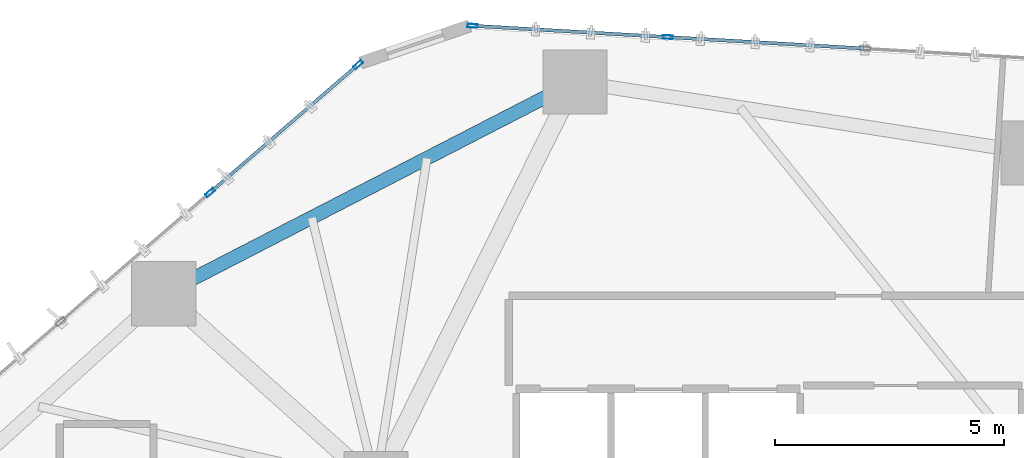
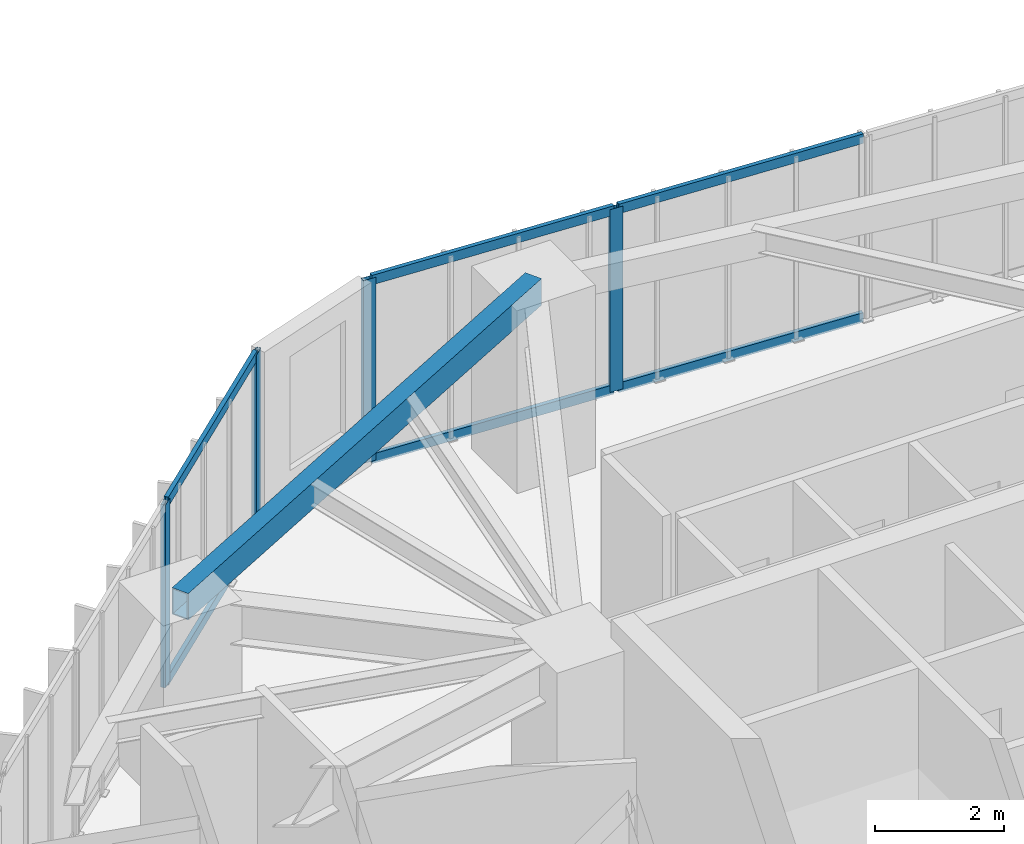
# One storey, part 15 of 24: 10 members, 1 beam, 2 elements without a shape of their own.
"""IFC4 building model written with IfcOpenShell, lengths in metres."""

from ifc_helpers import new_model, si_unit, direction, frame, origin, origin_2d, place, context, subcontext, project, spatial, hollow_rectangle, extrude, source, transform, mapped, material, layer, layer_set, material_profile, profile_set, type_object, type_shapes, element, aggregate, save


model = new_model("IFC4")

# Units and contexts
model_context = context("Model", 3, precision=1e-05, world=origin(), true_north=direction((0.0, 1.0)))
body_context = subcontext(model_context, "Body", "Model", "MODEL_VIEW")
ifc_project = project(units=[si_unit("LENGTHUNIT", "METRE"), si_unit("AREAUNIT", "SQUARE_METRE"), si_unit("VOLUMEUNIT", "CUBIC_METRE"), si_unit("PLANEANGLEUNIT", "RADIAN"), si_unit("MASSUNIT", "GRAM", prefix="KILO")], contexts=[model_context])

# Site, building, storey
site_placement = place(None, origin())
site = spatial("IfcSite", under=ifc_project, at=site_placement, CompositionType="ELEMENT")
building_placement = place(site_placement, origin())
building = spatial("IfcBuilding", under=site, at=building_placement, Name="Talar Marvaseh", CompositionType="ELEMENT")
storey_placement = place(building_placement, frame((0.0, 0.0, 81.0)))
storey = spatial("IfcBuildingStorey", under=building, at=storey_placement, Name="L20", CompositionType="ELEMENT", Elevation=81.0)

# Beam
ifc_material_1 = material(Name="Steel S355", Category="steel")
ifc_material_profile_1 = material_profile(ifc_material_1, hollow_rectangle(XDim=0.300048828125, YDim=0.5, WallThickness=0.02001953125, at=origin_2d()), Name="RHS500x300x20")
ifc_profile_set_1 = profile_set([ifc_material_profile_1], Name="Steel S355")
beam_type = type_object("IfcBeamType", Name="Zone 1 Perimeter Spandrel Beam RHS500x300x20", PredefinedType="SPANDREL", material=ifc_profile_set_1)
beam_placement = place(storey_placement, frame((14.069091796875, 41.04296875, 3.199951171875), z_axis=(0.889015710182, 0.457876694155, 0.0), x_axis=(-0.457876694155, 0.889015710182, 0.0)))
element("IfcBeam", 1, at=beam_placement, inside=storey, type_object=beam_type, Name="L20 Zone 1 Perimeter Spandrel Beam RHS500x300x20", PredefinedType="SPANDREL", context=body_context, shape_type="SweptSolid", body=[
    extrude(hollow_rectangle(XDim=0.300048828125, YDim=0.5, WallThickness=0.02001953125, at=origin_2d()), origin(), (0.0, 0.0, 1.0), 10.098876953125),
])

# Curtain wall, members
ifc_material_2 = material(Name="Architectural Aluminium", Category="aluminium")
ifc_layer = layer(ifc_material_2, 0.219970703125)
ifc_layer_set = layer_set([ifc_layer], Name="Architectural Aluminium")
curtain_wall_type = type_object("IfcCurtainWallType", Name="Unitised Low-E Museum Curtain Wall Z1", PredefinedType="NOTDEFINED", material=ifc_layer_set)
curtain_wall_1_placement = place(storey_placement, origin())
curtain_wall_1 = element("IfcCurtainWall", 2, at=curtain_wall_1_placement, inside=storey, type_object=curtain_wall_type, Name="L20 Unitised Low-E Museum Curtain Wall Z1", PredefinedType="NOTDEFINED")
ifc_material_profile_2 = material_profile(ifc_material_2, hollow_rectangle(XDim=0.074951171875, YDim=0.179931640625, WallThickness=0.0048828125, at=origin_2d()), Name="RHS180x75x5")
ifc_profile_set_2 = profile_set([ifc_material_profile_2], Name="Architectural Aluminium")
member_type_1 = type_object("IfcMemberType", Name="Unitised Curtain Wall Transom RHS180x75x5", PredefinedType="USERDEFINED", material=ifc_profile_set_2)
shared_shape_1 = source(origin(), body_context, "Body", "SweptSolid", [
    extrude(hollow_rectangle(XDim=0.074951171875, YDim=0.179931640625, WallThickness=0.0048828125, at=origin_2d()), origin(), (0.0, 0.0, 1.0), 4.19189453125),
])
member_1_placement = place(storey_placement, frame((15.111083984375, 43.27783203125, 0.03759765625), z_axis=(0.756796815484, 0.653650197027, 0.0), x_axis=(-0.653650197027, 0.756796815484, 0.0)))
member_1 = element("IfcMember", 3, at=member_1_placement, type_object=member_type_1, Name="CW-Z1 transom 4.1", ObjectType="TRANSOM", PredefinedType="USERDEFINED", context=body_context, shape_type="MappedRepresentation", body=[
    mapped(shared_shape_1, transform((0.0, 0.0, 0.0), x_axis=(1.0, 0.0, 0.0), y_axis=(0.0, 1.0, 0.0), z_axis=(0.0, 0.0, 1.0), scale=1.0)),
])
member_2_placement = place(storey_placement, frame((15.111083984375, 43.27783203125, 3.41259765625), z_axis=(0.756796815484, 0.653650197027, 0.0), x_axis=(-0.653650197027, 0.756796815484, 0.0)))
member_2 = element("IfcMember", 4, at=member_2_placement, type_object=member_type_1, Name="CW-Z1 transom 4.2", ObjectType="TRANSOM", PredefinedType="USERDEFINED", context=body_context, shape_type="MappedRepresentation", body=[
    mapped(shared_shape_1, transform((0.0, 0.0, 0.0), x_axis=(1.0, 0.0, 0.0), y_axis=(0.0, 1.0, 0.0), z_axis=(0.0, 0.0, 1.0), scale=1.0)),
])

curtain_wall_2_placement = place(storey_placement, origin())
curtain_wall_2 = element("IfcCurtainWall", 5, at=curtain_wall_2_placement, inside=storey, type_object=curtain_wall_type, Name="L20 Unitised Low-E Museum Curtain Wall Z1", PredefinedType="NOTDEFINED")
member_3_placement = place(storey_placement, frame((20.84912109375, 46.888671875, 0.03759765625), z_axis=(0.998326195468, -0.057834310256, 0.0), x_axis=(0.057834310256, 0.998326195468, 0.0)))
member_3 = element("IfcMember", 6, at=member_3_placement, type_object=member_type_1, Name="CW-Z1 transom 1.1", ObjectType="TRANSOM", PredefinedType="USERDEFINED", context=body_context, shape_type="MappedRepresentation", body=[
    mapped(shared_shape_1, transform((0.0, 0.0, 0.0), x_axis=(1.0, 0.0, 0.0), y_axis=(0.0, 1.0, 0.0), z_axis=(0.0, 0.0, 1.0), scale=1.0)),
])
member_4_placement = place(storey_placement, frame((20.84912109375, 46.888671875, 3.41259765625), z_axis=(0.998326195468, -0.057834310256, 0.0), x_axis=(0.057834310256, 0.998326195468, 0.0)))
member_4 = element("IfcMember", 7, at=member_4_placement, type_object=member_type_1, Name="CW-Z1 transom 1.2", ObjectType="TRANSOM", PredefinedType="USERDEFINED", context=body_context, shape_type="MappedRepresentation", body=[
    mapped(shared_shape_1, transform((0.0, 0.0, 0.0), x_axis=(1.0, 0.0, 0.0), y_axis=(0.0, 1.0, 0.0), z_axis=(0.0, 0.0, 1.0), scale=1.0)),
])
shared_shape_2 = source(origin(), body_context, "Body", "SweptSolid", [
    extrude(hollow_rectangle(XDim=0.074951171875, YDim=0.179931640625, WallThickness=0.0048828125, at=origin_2d()), origin(), (0.0, 0.0, 1.0), 4.23193359375),
])
type_shapes(member_type_1, [shared_shape_1, shared_shape_2])
member_5_placement = place(storey_placement, frame((25.11376953125, 46.6416015625, 0.03759765625), z_axis=(0.998324532047, -0.057863016795, 0.0), x_axis=(0.057863016795, 0.998324532047, 0.0)))
member_5 = element("IfcMember", 8, at=member_5_placement, type_object=member_type_1, Name="CW-Z1 transom 2.1", ObjectType="TRANSOM", PredefinedType="USERDEFINED", context=body_context, shape_type="MappedRepresentation", body=[
    mapped(shared_shape_2, transform((0.0, 0.0, 0.0), x_axis=(1.0, 0.0, 0.0), y_axis=(0.0, 1.0, 0.0), z_axis=(0.0, 0.0, 1.0), scale=1.0)),
])
member_6_placement = place(storey_placement, frame((25.11376953125, 46.6416015625, 3.41259765625), z_axis=(0.998324532047, -0.057863016795, 0.0), x_axis=(0.057863016795, 0.998324532047, 0.0)))
member_6 = element("IfcMember", 9, at=member_6_placement, type_object=member_type_1, Name="CW-Z1 transom 2.2", ObjectType="TRANSOM", PredefinedType="USERDEFINED", context=body_context, shape_type="MappedRepresentation", body=[
    mapped(shared_shape_2, transform((0.0, 0.0, 0.0), x_axis=(1.0, 0.0, 0.0), y_axis=(0.0, 1.0, 0.0), z_axis=(0.0, 0.0, 1.0), scale=1.0)),
])

# Member
ifc_material_profile_3 = material_profile(ifc_material_2, hollow_rectangle(XDim=0.080078125, YDim=0.219970703125, WallThickness=0.0048828125, at=origin_2d()), Name="RHS220x80x5")
ifc_profile_set_3 = profile_set([ifc_material_profile_3], Name="Architectural Aluminium")
member_type_2 = type_object("IfcMemberType", Name="Unitised Curtain Wall Heavy Mullion RHS220x80x5", PredefinedType="MULLION", material=ifc_profile_set_3)
shared_shape_3 = source(origin(), body_context, "Body", "SweptSolid", [
    extrude(hollow_rectangle(XDim=0.080078125, YDim=0.219970703125, WallThickness=0.0048828125, at=origin_2d()), origin(), (0.0, 0.0, 1.0), 3.449951171875),
])
type_shapes(member_type_2, [shared_shape_3])
member_7_placement = place(storey_placement, frame((15.080810546875, 43.251708984375, 0.0), z_axis=(0.0, 0.0, 1.0), x_axis=(-0.653657305577, 0.756790675726, 0.0)))
member_7 = element("IfcMember", 10, at=member_7_placement, type_object=member_type_2, Name="CW-Z1 mullion 4", PredefinedType="MULLION", context=body_context, shape_type="MappedRepresentation", body=[
    mapped(shared_shape_3, transform((0.0, 0.0, 0.0), x_axis=(1.0, 0.0, 0.0), y_axis=(0.0, 1.0, 0.0), z_axis=(0.0, 0.0, 1.0), scale=1.0)),
])

member_8_placement = place(storey_placement, frame((18.313720703125, 46.0439453125, 0.0), z_axis=(0.0, 0.0, 1.0), x_axis=(-0.653657305577, 0.756790675726, 0.0)))
member_8 = element("IfcMember", 11, at=member_8_placement, type_object=member_type_2, Name="CW-Z1 mullion 5", PredefinedType="MULLION", context=body_context, shape_type="MappedRepresentation", body=[
    mapped(shared_shape_3, transform((0.0, 0.0, 0.0), x_axis=(1.0, 0.0, 0.0), y_axis=(0.0, 1.0, 0.0), z_axis=(0.0, 0.0, 1.0), scale=1.0)),
])

aggregate(curtain_wall_1, [member_7, member_8, member_1, member_2])

member_9_placement = place(storey_placement, frame((20.80908203125, 46.89111328125, 0.0), z_axis=(0.0, 0.0, 1.0), x_axis=(0.057875021972, 0.998323836153, 0.0)))
member_9 = element("IfcMember", 12, at=member_9_placement, type_object=member_type_2, Name="CW-Z1 mullion 1", PredefinedType="MULLION", context=body_context, shape_type="MappedRepresentation", body=[
    mapped(shared_shape_3, transform((0.0, 0.0, 0.0), x_axis=(1.0, 0.0, 0.0), y_axis=(0.0, 1.0, 0.0), z_axis=(0.0, 0.0, 1.0), scale=1.0)),
])

member_10_placement = place(storey_placement, frame((25.07373046875, 46.643798828125, 0.0), z_axis=(0.0, 0.0, 1.0), x_axis=(0.057875021972, 0.998323836153, 0.0)))
member_10 = element("IfcMember", 13, at=member_10_placement, type_object=member_type_2, Name="CW-Z1 mullion 2", PredefinedType="MULLION", context=body_context, shape_type="MappedRepresentation", body=[
    mapped(shared_shape_3, transform((0.0, 0.0, 0.0), x_axis=(1.0, 0.0, 0.0), y_axis=(0.0, 1.0, 0.0), z_axis=(0.0, 0.0, 1.0), scale=1.0)),
])

aggregate(curtain_wall_2, [member_9, member_10, member_3, member_4, member_5, member_6])

save(model, "model.ifc")
